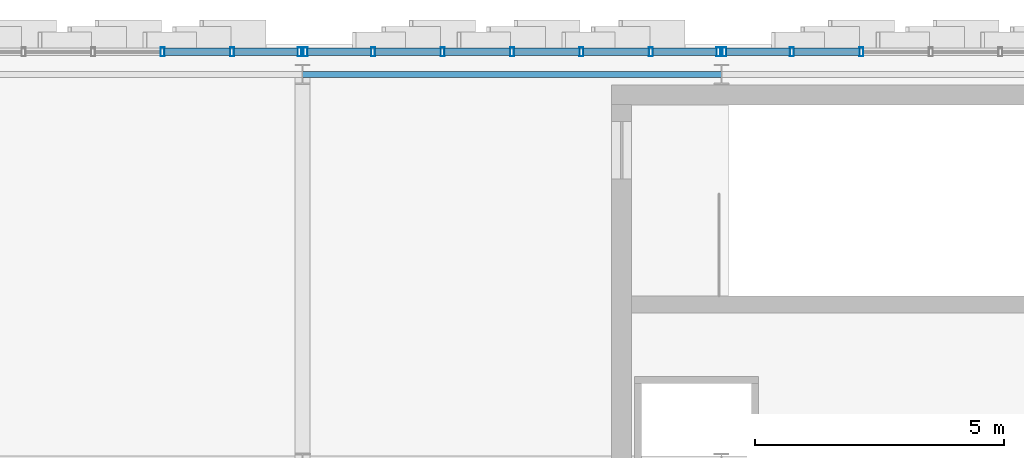
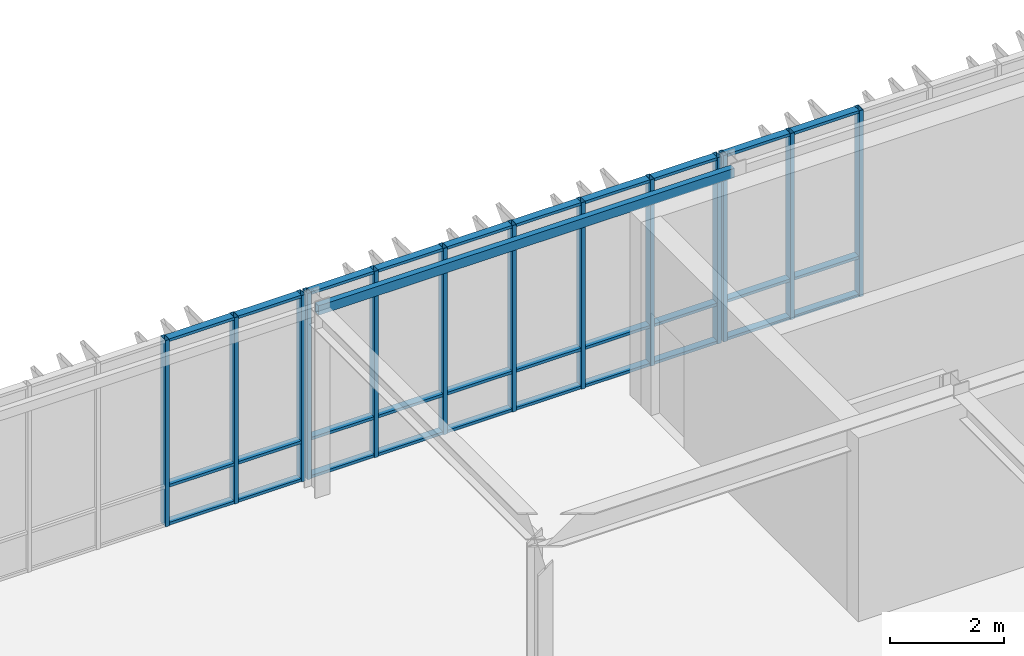
# One storey, part 62 of 123: 43 members, 1 beam, 3 elements without a shape of their own.
"""IFC4 building model written with IfcOpenShell, lengths in metres."""

import ifcopenshell
import ifcopenshell.guid

model = None  # the IFC model being written
_history = None  # IfcOwnerHistory: only IFC2X3 demands one
_inside = {}  # id of a spatial element -> (the spatial element, [elements in it])
_under = {}  # id of a project, library or spatial element -> (it, [spatial elements below it])
_declared = {}  # id of a project -> (the project, [libraries it declares])
_typed = {}  # id of a type object -> (the type object, [elements of that type])
_made_of = {}  # id of a material, layer set ... -> (it, [elements and type objects made of it])


def new_model(schema):
    """Start an empty IFC model of exactly this schema.

    Asked for "IFC4X3", IfcOpenShell would pick the latest addendum, in which some entities
    have other attributes; the version numbers below select the first issue.
    IFC2X3 requires an IfcOwnerHistory on every rooted entity: one is made here for all.
    """
    global model, _history
    if schema == "IFC4X3":
        model = ifcopenshell.file(schema_version=(4, 3, 0, 0))
    else:
        model = ifcopenshell.file(schema=schema)
    _inside.clear()
    _under.clear()
    _declared.clear()
    _typed.clear()
    _made_of.clear()
    _history = None
    if model.schema == "IFC2X3":
        org = make("IfcOrganization", Name="unknown")
        user = make(
            "IfcPersonAndOrganization",
            ThePerson=make("IfcPerson", FamilyName="unknown"),
            TheOrganization=org,
        )
        app = make(
            "IfcApplication",
            ApplicationDeveloper=org,
            Version="unknown",
            ApplicationFullName="unknown",
            ApplicationIdentifier="unknown",
        )
        _history = make(
            "IfcOwnerHistory",
            OwningUser=user,
            OwningApplication=app,
            ChangeAction="ADDED",
            CreationDate=0,
        )
    return model


def make(cls, **values):
    """One entity of the class cls with the attributes given. An attribute that is None is left unset."""
    return model.create_entity(
        cls, **{name: value for name, value in values.items() if value is not None}
    )


def rooted(cls, **values):
    """An entity with a GlobalId (a new one), such as an element, a storey or a relation."""
    return make(cls, GlobalId=ifcopenshell.guid.new(), OwnerHistory=_history, **values)


def si_unit(unit_type, name, prefix=None):
    """IfcSIUnit, for example si_unit("LENGTHUNIT", "METRE", prefix="MILLI")."""
    return make("IfcSIUnit", UnitType=unit_type, Prefix=prefix, Name=name)


def assignment(units):
    """IfcUnitAssignment: the units of a project."""
    return None if units is None else make("IfcUnitAssignment", Units=units)


def point(xyz):
    """IfcCartesianPoint."""
    return None if xyz is None else make("IfcCartesianPoint", Coordinates=xyz)


def direction(xyz):
    """IfcDirection."""
    return None if xyz is None else make("IfcDirection", DirectionRatios=xyz)


def frame(location, z_axis=None, x_axis=None):
    """IfcAxis2Placement3D, a coordinate frame: its origin and axes. An axis left out is left unset."""
    return make(
        "IfcAxis2Placement3D",
        Location=point(location),
        Axis=direction(z_axis),
        RefDirection=direction(x_axis),
    )


def frame_2d(location, x_axis=None):
    """IfcAxis2Placement2D, a coordinate frame in the plane: its origin and x axis."""
    return make(
        "IfcAxis2Placement2D", Location=point(location), RefDirection=direction(x_axis)
    )


def origin():
    """The frame at (0, 0, 0) with its axes left unset."""
    return frame((0.0, 0.0, 0.0))


def origin_2d():
    """The frame at (0, 0) in the plane with its x axis left unset."""
    return frame_2d((0.0, 0.0))


def place(relative_to, where):
    """IfcLocalPlacement: puts the frame where relative to a parent placement (None: the world)."""
    return make(
        "IfcLocalPlacement", PlacementRelTo=relative_to, RelativePlacement=where
    )


def context(
    kind, dimensions, precision=None, world=None, true_north=None, identifier=None
):
    """IfcGeometricRepresentationContext, for example the 3D "Model" context."""
    return make(
        "IfcGeometricRepresentationContext",
        ContextIdentifier=identifier,
        ContextType=kind,
        CoordinateSpaceDimension=dimensions,
        Precision=precision,
        WorldCoordinateSystem=world,
        TrueNorth=true_north,
    )


def subcontext(parent, identifier, kind, view, scale=None):
    """IfcGeometricRepresentationSubContext, for example "Body" below "Model"."""
    return make(
        "IfcGeometricRepresentationSubContext",
        ContextIdentifier=identifier,
        ContextType=kind,
        ParentContext=parent,
        TargetScale=scale,
        TargetView=view,
    )


def project(units=None, contexts=None):
    """IfcProject with its units and contexts."""
    return rooted(
        "IfcProject",
        Name="project",
        RepresentationContexts=contexts,
        UnitsInContext=assignment(units),
    )


def spatial(cls, under=None, at=None, **own):
    """A site, building, storey or space (cls), placed at a placement, below another one or the project."""
    s = rooted(cls, ObjectPlacement=at, **own)
    if under is not None:
        _under.setdefault(under.id(), (under, []))[1].append(s)
    return s


def profile(cls, at=None, kind="AREA", **sizes):
    """A parametric profile (cls). Its sizes go by their IFC names, for example OverallWidth=200.0."""
    return make(cls, ProfileType=kind, Position=at, **sizes)


def hollow_rectangle(**sizes):
    """IfcRectangleHollowProfileDef."""
    return profile("IfcRectangleHollowProfileDef", **sizes)


def extrude(swept, where, along, depth):
    """IfcExtrudedAreaSolid: the profile swept, set in the frame where, extruded along a direction by depth."""
    return make(
        "IfcExtrudedAreaSolid",
        SweptArea=swept,
        Position=where,
        ExtrudedDirection=direction(along),
        Depth=depth,
    )


def shape(context_of_items, identifier, shape_type, items):
    """IfcShapeRepresentation: the items that make up one representation, for example the "Body"."""
    return make(
        "IfcShapeRepresentation",
        ContextOfItems=context_of_items,
        RepresentationIdentifier=identifier,
        RepresentationType=shape_type,
        Items=items,
    )


def material(Name=None, Category=None):
    """IfcMaterial."""
    return make("IfcMaterial", Name=Name, Category=Category)


def layer(
    of_material, thickness, ventilated=None, Name=None, Category=None, Priority=None
):
    """IfcMaterialLayer: one layer of a wall or slab, of a material (None: an air gap)."""
    return make(
        "IfcMaterialLayer",
        Material=of_material,
        LayerThickness=thickness,
        IsVentilated=ventilated,
        Name=Name,
        Category=Category,
        Priority=Priority,
    )


def layer_set(layers, Name=None):
    """IfcMaterialLayerSet."""
    return make("IfcMaterialLayerSet", MaterialLayers=layers, LayerSetName=Name)


def material_profile(
    of_material, cross_section, Name=None, Category=None, Priority=None
):
    """IfcMaterialProfile: a cross section and its material."""
    return make(
        "IfcMaterialProfile",
        Name=Name,
        Material=of_material,
        Profile=cross_section,
        Priority=Priority,
        Category=Category,
    )


def profile_set(profiles, Name=None, composite=None):
    """IfcMaterialProfileSet."""
    return make(
        "IfcMaterialProfileSet",
        Name=Name,
        MaterialProfiles=profiles,
        CompositeProfile=composite,
    )


def made_of(thing, what):
    """Note that an element or type object is made of a material, layer set ...; save() writes the relation."""
    if what is not None:
        _made_of.setdefault(what.id(), (what, []))[1].append(thing)
    return thing


def type_object(cls, material=None, **own):
    """A type object (cls), such as IfcWallType, which elements share."""
    return made_of(rooted(cls, **own), material)


def element(
    cls,
    number,
    at=None,
    inside=None,
    cuts=None,
    type_object=None,
    material=None,
    context=None,
    identifier="Body",
    shape_type=None,
    held_by="IfcProductDefinitionShape",
    body=None,
    shapes=None,
    **own,
):
    """One element of the class cls, such as IfcWall. Its Tag is "e" and its number.

    at: its placement. inside: the storey or other place that contains it. cuts: it is an
    opening in that element (IfcRelVoidsElement). A single representation is given by context,
    identifier, shape_type and body (its items); several are given by shapes. held_by: the class
    of the entity that holds the representations. save() writes the other relations.
    """
    e = rooted(cls, Tag="e%d" % number, ObjectPlacement=at, **own)
    if body is not None:
        shapes = [shape(context, identifier, shape_type, body)]
    if shapes is not None:
        e.Representation = make(held_by, Representations=shapes)
    if inside is not None:
        _inside.setdefault(inside.id(), (inside, []))[1].append(e)
    if cuts is not None:
        rooted(
            "IfcRelVoidsElement", RelatingBuildingElement=cuts, RelatedOpeningElement=e
        )
    if type_object is not None:
        _typed.setdefault(type_object.id(), (type_object, []))[1].append(e)
    return made_of(e, material)


def aggregate(whole, parts):
    """IfcRelAggregates: a whole, such as a stair, and the parts it consists of."""
    return rooted("IfcRelAggregates", RelatingObject=whole, RelatedObjects=parts)


def save(model, path):
    """Write the relations noted so far, then the file.

    IfcRelAggregates (storeys below a building ...), IfcRelContainedInSpatialStructure (elements
    in a storey), IfcRelDefinesByType, IfcRelAssociatesMaterial and IfcRelDeclares: one each for
    every whole, place, type object, material and project.
    """
    for whole, parts in _under.values():
        aggregate(whole, parts)
    for where, things in _inside.values():
        rooted(
            "IfcRelContainedInSpatialStructure",
            RelatedElements=things,
            RelatingStructure=where,
        )
    for kind, things in _typed.values():
        rooted("IfcRelDefinesByType", RelatedObjects=things, RelatingType=kind)
    for what, things in _made_of.values():
        rooted("IfcRelAssociatesMaterial", RelatedObjects=things, RelatingMaterial=what)
    for by, libraries in _declared.values():
        rooted("IfcRelDeclares", RelatingContext=by, RelatedDefinitions=libraries)
    model.write(path)


model = new_model("IFC4")

# Units and contexts
model_context = context("Model", 3, precision=1e-05, world=origin(), true_north=direction((0.0, 1.0)))
body_context = subcontext(model_context, "Body", "Model", "MODEL_VIEW")
ifc_project = project(units=[si_unit("LENGTHUNIT", "METRE"), si_unit("AREAUNIT", "SQUARE_METRE"), si_unit("VOLUMEUNIT", "CUBIC_METRE"), si_unit("PLANEANGLEUNIT", "RADIAN"), si_unit("MASSUNIT", "GRAM", prefix="KILO")], contexts=[model_context])

# Site, building, storey
site_placement = place(None, origin())
site = spatial("IfcSite", under=ifc_project, at=site_placement, CompositionType="ELEMENT")
building_placement = place(site_placement, origin())
building = spatial("IfcBuilding", under=site, at=building_placement, Name="Zayran Congress Hotel", CompositionType="ELEMENT")
storey_placement = place(building_placement, frame((0.0, 0.0, 15.0)))
storey = spatial("IfcBuildingStorey", under=building, at=storey_placement, Name="L03", CompositionType="ELEMENT", Elevation=15.0)

# Beam
ifc_material_1 = material(Name="Steel S355", Category="steel")
ifc_material_profile_1 = material_profile(ifc_material_1, hollow_rectangle(XDim=0.1201171875, YDim=0.199951171875, WallThickness=0.008056640625, at=origin_2d()), Name="RHS 200x120x8")
ifc_profile_set_1 = profile_set([ifc_material_profile_1], Name="Steel S355")
beam_type = type_object("IfcBeamType", Name="TP-SP-02", PredefinedType="SPANDREL", material=ifc_profile_set_1)
beam_placement = place(storey_placement, frame((75.60009765625, 117.39990234375, 3.8798828125), z_axis=(1.0, 0.0, 0.0), x_axis=(0.0, 1.0, 0.0)))
element("IfcBeam", 1, at=beam_placement, inside=storey, type_object=beam_type, Name="BM-V1-L03-0847", PredefinedType="SPANDREL", context=body_context, shape_type="SweptSolid", body=[
    extrude(hollow_rectangle(XDim=0.1201171875, YDim=0.199951171875, WallThickness=0.008056640625, at=origin_2d()), origin(), (0.0, 0.0, 1.0), 8.39990234375),
])

# Curtain wall, members
ifc_material_2 = material(Name="Anodised aluminium and low-E insulated glass", Category="aluminium")
ifc_layer_1 = layer(ifc_material_2, 0.179931640625)
ifc_layer_set_1 = layer_set([ifc_layer_1], Name="Anodised aluminium and low-E insulated glass")
curtain_wall_type_1 = type_object("IfcCurtainWallType", Name="CW-V1N-L03-CW-22-8360-3980", PredefinedType="USERDEFINED", material=ifc_layer_set_1)
curtain_wall_1_placement = place(storey_placement, origin())
curtain_wall_1 = element("IfcCurtainWall", 2, at=curtain_wall_1_placement, inside=storey, type_object=curtain_wall_type_1, Name="CW-V1N-L03-7", ObjectType="CURTAIN WALL", PredefinedType="USERDEFINED")
ifc_material_3 = material(Name="Anodised aluminium framing", Category="aluminium")
ifc_material_profile_2 = material_profile(ifc_material_3, hollow_rectangle(XDim=0.080078125, YDim=0.179931640625, WallThickness=0.0048828125, at=origin_2d()), Name="RHS 180x80x5")
ifc_profile_set_2 = profile_set([ifc_material_profile_2], Name="Anodised aluminium framing")
member_type_1 = type_object("IfcMemberType", Name="TP-CWM-01", PredefinedType="MULLION", material=ifc_profile_set_2)
member_1_placement = place(storey_placement, frame((75.5400390625, 117.85009765625, 0.0), z_axis=(0.0, 0.0, 1.0), x_axis=(1.0, 0.0, 0.0)))
member_1 = element("IfcMember", 3, at=member_1_placement, type_object=member_type_1, Name="CW-V1N-L03-7-M00", PredefinedType="MULLION", context=body_context, shape_type="SweptSolid", body=[
    extrude(hollow_rectangle(XDim=0.080078125, YDim=0.179931640625, WallThickness=0.0048828125, at=origin_2d()), origin(), (0.0, 0.0, 1.0), 3.97998046875),
])
member_2_placement = place(storey_placement, frame((74.186767578125, 117.85009765625, 0.0), z_axis=(0.0, 0.0, 1.0), x_axis=(1.0, 0.0, 0.0)))
member_2 = element("IfcMember", 4, at=member_2_placement, type_object=member_type_1, Name="CW-V1N-L03-7-M01", PredefinedType="MULLION", context=body_context, shape_type="SweptSolid", body=[
    extrude(hollow_rectangle(XDim=0.080078125, YDim=0.179931640625, WallThickness=0.0048828125, at=origin_2d()), origin(), (0.0, 0.0, 1.0), 3.97998046875),
])
member_3_placement = place(storey_placement, frame((72.793212890625, 117.85009765625, 0.0), z_axis=(0.0, 0.0, 1.0), x_axis=(1.0, 0.0, 0.0)))
member_3 = element("IfcMember", 5, at=member_3_placement, type_object=member_type_1, Name="CW-V1N-L03-7-M02", PredefinedType="MULLION", context=body_context, shape_type="SweptSolid", body=[
    extrude(hollow_rectangle(XDim=0.080078125, YDim=0.179931640625, WallThickness=0.0048828125, at=origin_2d()), origin(), (0.0, 0.0, 1.0), 3.97998046875),
])

ifc_layer_2 = layer(ifc_material_2, 0.179931640625)
ifc_layer_set_2 = layer_set([ifc_layer_2], Name="Anodised aluminium and low-E insulated glass")
curtain_wall_type_2 = type_object("IfcCurtainWallType", Name="CW-V1N-L03-CW-23-8360-3980", PredefinedType="USERDEFINED", material=ifc_layer_set_2)
curtain_wall_2_placement = place(storey_placement, origin())
curtain_wall_2 = element("IfcCurtainWall", 6, at=curtain_wall_2_placement, inside=storey, type_object=curtain_wall_type_2, Name="CW-V1N-L03-8", ObjectType="CURTAIN WALL", PredefinedType="USERDEFINED")
member_4_placement = place(storey_placement, frame((83.93994140625, 117.85009765625, 0.0), z_axis=(0.0, 0.0, 1.0), x_axis=(1.0, 0.0, 0.0)))
member_4 = element("IfcMember", 7, at=member_4_placement, type_object=member_type_1, Name="CW-V1N-L03-8-M00", PredefinedType="MULLION", context=body_context, shape_type="SweptSolid", body=[
    extrude(hollow_rectangle(XDim=0.080078125, YDim=0.179931640625, WallThickness=0.0048828125, at=origin_2d()), origin(), (0.0, 0.0, 1.0), 3.97998046875),
])
member_5_placement = place(storey_placement, frame((82.586669921875, 117.85009765625, 0.0), z_axis=(0.0, 0.0, 1.0), x_axis=(1.0, 0.0, 0.0)))
member_5 = element("IfcMember", 8, at=member_5_placement, type_object=member_type_1, Name="CW-V1N-L03-8-M01", PredefinedType="MULLION", context=body_context, shape_type="SweptSolid", body=[
    extrude(hollow_rectangle(XDim=0.080078125, YDim=0.179931640625, WallThickness=0.0048828125, at=origin_2d()), origin(), (0.0, 0.0, 1.0), 3.97998046875),
])
member_6_placement = place(storey_placement, frame((81.193359375, 117.85009765625, 0.0), z_axis=(0.0, 0.0, 1.0), x_axis=(1.0, 0.0, 0.0)))
member_6 = element("IfcMember", 9, at=member_6_placement, type_object=member_type_1, Name="CW-V1N-L03-8-M02", PredefinedType="MULLION", context=body_context, shape_type="SweptSolid", body=[
    extrude(hollow_rectangle(XDim=0.080078125, YDim=0.179931640625, WallThickness=0.0048828125, at=origin_2d()), origin(), (0.0, 0.0, 1.0), 3.97998046875),
])
member_7_placement = place(storey_placement, frame((79.800048828125, 117.85009765625, 0.0), z_axis=(0.0, 0.0, 1.0), x_axis=(1.0, 0.0, 0.0)))
member_7 = element("IfcMember", 10, at=member_7_placement, type_object=member_type_1, Name="CW-V1N-L03-8-M03", PredefinedType="MULLION", context=body_context, shape_type="SweptSolid", body=[
    extrude(hollow_rectangle(XDim=0.080078125, YDim=0.179931640625, WallThickness=0.0048828125, at=origin_2d()), origin(), (0.0, 0.0, 1.0), 3.97998046875),
])
member_8_placement = place(storey_placement, frame((78.40673828125, 117.85009765625, 0.0), z_axis=(0.0, 0.0, 1.0), x_axis=(1.0, 0.0, 0.0)))
member_8 = element("IfcMember", 11, at=member_8_placement, type_object=member_type_1, Name="CW-V1N-L03-8-M04", PredefinedType="MULLION", context=body_context, shape_type="SweptSolid", body=[
    extrude(hollow_rectangle(XDim=0.080078125, YDim=0.179931640625, WallThickness=0.0048828125, at=origin_2d()), origin(), (0.0, 0.0, 1.0), 3.97998046875),
])
member_9_placement = place(storey_placement, frame((77.01318359375, 117.85009765625, 0.0), z_axis=(0.0, 0.0, 1.0), x_axis=(1.0, 0.0, 0.0)))
member_9 = element("IfcMember", 12, at=member_9_placement, type_object=member_type_1, Name="CW-V1N-L03-8-M05", PredefinedType="MULLION", context=body_context, shape_type="SweptSolid", body=[
    extrude(hollow_rectangle(XDim=0.080078125, YDim=0.179931640625, WallThickness=0.0048828125, at=origin_2d()), origin(), (0.0, 0.0, 1.0), 3.97998046875),
])
member_10_placement = place(storey_placement, frame((75.659912109375, 117.85009765625, 0.0), z_axis=(0.0, 0.0, 1.0), x_axis=(1.0, 0.0, 0.0)))
member_10 = element("IfcMember", 13, at=member_10_placement, type_object=member_type_1, Name="CW-V1N-L03-8-M06", PredefinedType="MULLION", context=body_context, shape_type="SweptSolid", body=[
    extrude(hollow_rectangle(XDim=0.080078125, YDim=0.179931640625, WallThickness=0.0048828125, at=origin_2d()), origin(), (0.0, 0.0, 1.0), 3.97998046875),
])

ifc_layer_3 = layer(ifc_material_2, 0.179931640625)
ifc_layer_set_3 = layer_set([ifc_layer_3], Name="Anodised aluminium and low-E insulated glass")
curtain_wall_type_3 = type_object("IfcCurtainWallType", Name="CW-V1N-L03-CW-21-8360-3980", PredefinedType="USERDEFINED", material=ifc_layer_set_3)
curtain_wall_3_placement = place(storey_placement, origin())
curtain_wall_3 = element("IfcCurtainWall", 14, at=curtain_wall_3_placement, inside=storey, type_object=curtain_wall_type_3, Name="CW-V1N-L03-9", ObjectType="CURTAIN WALL", PredefinedType="USERDEFINED")
member_11_placement = place(storey_placement, frame((86.806640625, 117.85009765625, 0.0), z_axis=(0.0, 0.0, 1.0), x_axis=(1.0, 0.0, 0.0)))
member_11 = element("IfcMember", 15, at=member_11_placement, type_object=member_type_1, Name="CW-V1N-L03-9-M04", PredefinedType="MULLION", context=body_context, shape_type="SweptSolid", body=[
    extrude(hollow_rectangle(XDim=0.080078125, YDim=0.179931640625, WallThickness=0.0048828125, at=origin_2d()), origin(), (0.0, 0.0, 1.0), 3.97998046875),
])
member_12_placement = place(storey_placement, frame((85.413330078125, 117.85009765625, 0.0), z_axis=(0.0, 0.0, 1.0), x_axis=(1.0, 0.0, 0.0)))
member_12 = element("IfcMember", 16, at=member_12_placement, type_object=member_type_1, Name="CW-V1N-L03-9-M05", PredefinedType="MULLION", context=body_context, shape_type="SweptSolid", body=[
    extrude(hollow_rectangle(XDim=0.080078125, YDim=0.179931640625, WallThickness=0.0048828125, at=origin_2d()), origin(), (0.0, 0.0, 1.0), 3.97998046875),
])
member_13_placement = place(storey_placement, frame((84.06005859375, 117.85009765625, 0.0), z_axis=(0.0, 0.0, 1.0), x_axis=(1.0, 0.0, 0.0)))
member_13 = element("IfcMember", 17, at=member_13_placement, type_object=member_type_1, Name="CW-V1N-L03-9-M06", PredefinedType="MULLION", context=body_context, shape_type="SweptSolid", body=[
    extrude(hollow_rectangle(XDim=0.080078125, YDim=0.179931640625, WallThickness=0.0048828125, at=origin_2d()), origin(), (0.0, 0.0, 1.0), 3.97998046875),
])

# Member
ifc_material_profile_3 = material_profile(ifc_material_3, hollow_rectangle(XDim=0.06005859375, YDim=0.14990234375, WallThickness=0.00390625, at=origin_2d()), Name="RHS 150x60x4")
ifc_profile_set_3 = profile_set([ifc_material_profile_3], Name="Anodised aluminium framing")
member_type_2 = type_object("IfcMemberType", Name="TP-CWT-01", PredefinedType="USERDEFINED", material=ifc_profile_set_3)
member_14_placement = place(storey_placement, frame((75.5, 117.85009765625, 0.030029296875), z_axis=(-1.0, 0.0, 0.0), x_axis=(0.0, 0.0, 1.0)))
member_14 = element("IfcMember", 18, at=member_14_placement, type_object=member_type_2, Name="CW-V1N-L03-7-T00-0", ObjectType="TRANSOM", PredefinedType="USERDEFINED", context=body_context, shape_type="SweptSolid", body=[
    extrude(hollow_rectangle(XDim=0.06005859375, YDim=0.14990234375, WallThickness=0.00390625, at=origin_2d()), origin(), (0.0, 0.0, 1.0), 1.273193359375),
])

member_15_placement = place(storey_placement, frame((75.5, 117.85009765625, 0.840087890625), z_axis=(-1.0, 0.0, 0.0), x_axis=(0.0, 0.0, 1.0)))
member_15 = element("IfcMember", 19, at=member_15_placement, type_object=member_type_2, Name="CW-V1N-L03-7-T00-1", ObjectType="TRANSOM", PredefinedType="USERDEFINED", context=body_context, shape_type="SweptSolid", body=[
    extrude(hollow_rectangle(XDim=0.06005859375, YDim=0.14990234375, WallThickness=0.00390625, at=origin_2d()), origin(), (0.0, 0.0, 1.0), 1.273193359375),
])

member_16_placement = place(storey_placement, frame((75.5, 117.85009765625, 3.949951171875), z_axis=(-1.0, 0.0, 0.0), x_axis=(0.0, 0.0, 1.0)))
member_16 = element("IfcMember", 20, at=member_16_placement, type_object=member_type_2, Name="CW-V1N-L03-7-T00-2", ObjectType="TRANSOM", PredefinedType="USERDEFINED", context=body_context, shape_type="SweptSolid", body=[
    extrude(hollow_rectangle(XDim=0.06005859375, YDim=0.14990234375, WallThickness=0.00390625, at=origin_2d()), origin(), (0.0, 0.0, 1.0), 1.273193359375),
])

member_17_placement = place(storey_placement, frame((74.146728515625, 117.85009765625, 0.030029296875), z_axis=(-1.0, 0.0, 0.0), x_axis=(0.0, 0.0, 1.0)))
member_17 = element("IfcMember", 21, at=member_17_placement, type_object=member_type_2, Name="CW-V1N-L03-7-T01-0", ObjectType="TRANSOM", PredefinedType="USERDEFINED", context=body_context, shape_type="SweptSolid", body=[
    extrude(hollow_rectangle(XDim=0.06005859375, YDim=0.14990234375, WallThickness=0.00390625, at=origin_2d()), origin(), (0.0, 0.0, 1.0), 1.3134765625),
])

member_18_placement = place(storey_placement, frame((74.146728515625, 117.85009765625, 0.840087890625), z_axis=(-1.0, 0.0, 0.0), x_axis=(0.0, 0.0, 1.0)))
member_18 = element("IfcMember", 22, at=member_18_placement, type_object=member_type_2, Name="CW-V1N-L03-7-T01-1", ObjectType="TRANSOM", PredefinedType="USERDEFINED", context=body_context, shape_type="SweptSolid", body=[
    extrude(hollow_rectangle(XDim=0.06005859375, YDim=0.14990234375, WallThickness=0.00390625, at=origin_2d()), origin(), (0.0, 0.0, 1.0), 1.3134765625),
])

member_19_placement = place(storey_placement, frame((74.146728515625, 117.85009765625, 3.949951171875), z_axis=(-1.0, 0.0, 0.0), x_axis=(0.0, 0.0, 1.0)))
member_19 = element("IfcMember", 23, at=member_19_placement, type_object=member_type_2, Name="CW-V1N-L03-7-T01-2", ObjectType="TRANSOM", PredefinedType="USERDEFINED", context=body_context, shape_type="SweptSolid", body=[
    extrude(hollow_rectangle(XDim=0.06005859375, YDim=0.14990234375, WallThickness=0.00390625, at=origin_2d()), origin(), (0.0, 0.0, 1.0), 1.3134765625),
])

aggregate(curtain_wall_1, [member_1, member_2, member_3, member_14, member_15, member_16, member_17, member_18, member_19])

member_20_placement = place(storey_placement, frame((83.89990234375, 117.85009765625, 0.030029296875), z_axis=(-1.0, 0.0, 0.0), x_axis=(0.0, 0.0, 1.0)))
member_20 = element("IfcMember", 24, at=member_20_placement, type_object=member_type_2, Name="CW-V1N-L03-8-T00-0", ObjectType="TRANSOM", PredefinedType="USERDEFINED", context=body_context, shape_type="SweptSolid", body=[
    extrude(hollow_rectangle(XDim=0.06005859375, YDim=0.14990234375, WallThickness=0.00390625, at=origin_2d()), origin(), (0.0, 0.0, 1.0), 1.273193359375),
])

member_21_placement = place(storey_placement, frame((83.89990234375, 117.85009765625, 0.840087890625), z_axis=(-1.0, 0.0, 0.0), x_axis=(0.0, 0.0, 1.0)))
member_21 = element("IfcMember", 25, at=member_21_placement, type_object=member_type_2, Name="CW-V1N-L03-8-T00-1", ObjectType="TRANSOM", PredefinedType="USERDEFINED", context=body_context, shape_type="SweptSolid", body=[
    extrude(hollow_rectangle(XDim=0.06005859375, YDim=0.14990234375, WallThickness=0.00390625, at=origin_2d()), origin(), (0.0, 0.0, 1.0), 1.273193359375),
])

member_22_placement = place(storey_placement, frame((83.89990234375, 117.85009765625, 3.949951171875), z_axis=(-1.0, 0.0, 0.0), x_axis=(0.0, 0.0, 1.0)))
member_22 = element("IfcMember", 26, at=member_22_placement, type_object=member_type_2, Name="CW-V1N-L03-8-T00-2", ObjectType="TRANSOM", PredefinedType="USERDEFINED", context=body_context, shape_type="SweptSolid", body=[
    extrude(hollow_rectangle(XDim=0.06005859375, YDim=0.14990234375, WallThickness=0.00390625, at=origin_2d()), origin(), (0.0, 0.0, 1.0), 1.273193359375),
])

member_23_placement = place(storey_placement, frame((82.546630859375, 117.85009765625, 0.030029296875), z_axis=(-1.0, 0.0, 0.0), x_axis=(0.0, 0.0, 1.0)))
member_23 = element("IfcMember", 27, at=member_23_placement, type_object=member_type_2, Name="CW-V1N-L03-8-T01-0", ObjectType="TRANSOM", PredefinedType="USERDEFINED", context=body_context, shape_type="SweptSolid", body=[
    extrude(hollow_rectangle(XDim=0.06005859375, YDim=0.14990234375, WallThickness=0.00390625, at=origin_2d()), origin(), (0.0, 0.0, 1.0), 1.313232421875),
])

member_24_placement = place(storey_placement, frame((82.546630859375, 117.85009765625, 0.840087890625), z_axis=(-1.0, 0.0, 0.0), x_axis=(0.0, 0.0, 1.0)))
member_24 = element("IfcMember", 28, at=member_24_placement, type_object=member_type_2, Name="CW-V1N-L03-8-T01-1", ObjectType="TRANSOM", PredefinedType="USERDEFINED", context=body_context, shape_type="SweptSolid", body=[
    extrude(hollow_rectangle(XDim=0.06005859375, YDim=0.14990234375, WallThickness=0.00390625, at=origin_2d()), origin(), (0.0, 0.0, 1.0), 1.313232421875),
])

member_25_placement = place(storey_placement, frame((82.546630859375, 117.85009765625, 3.949951171875), z_axis=(-1.0, 0.0, 0.0), x_axis=(0.0, 0.0, 1.0)))
member_25 = element("IfcMember", 29, at=member_25_placement, type_object=member_type_2, Name="CW-V1N-L03-8-T01-2", ObjectType="TRANSOM", PredefinedType="USERDEFINED", context=body_context, shape_type="SweptSolid", body=[
    extrude(hollow_rectangle(XDim=0.06005859375, YDim=0.14990234375, WallThickness=0.00390625, at=origin_2d()), origin(), (0.0, 0.0, 1.0), 1.313232421875),
])

member_26_placement = place(storey_placement, frame((81.1533203125, 117.85009765625, 0.030029296875), z_axis=(-1.0, 0.0, 0.0), x_axis=(0.0, 0.0, 1.0)))
member_26 = element("IfcMember", 30, at=member_26_placement, type_object=member_type_2, Name="CW-V1N-L03-8-T02-0", ObjectType="TRANSOM", PredefinedType="USERDEFINED", context=body_context, shape_type="SweptSolid", body=[
    extrude(hollow_rectangle(XDim=0.06005859375, YDim=0.14990234375, WallThickness=0.00390625, at=origin_2d()), origin(), (0.0, 0.0, 1.0), 1.313232421875),
])

member_27_placement = place(storey_placement, frame((81.1533203125, 117.85009765625, 0.840087890625), z_axis=(-1.0, 0.0, 0.0), x_axis=(0.0, 0.0, 1.0)))
member_27 = element("IfcMember", 31, at=member_27_placement, type_object=member_type_2, Name="CW-V1N-L03-8-T02-1", ObjectType="TRANSOM", PredefinedType="USERDEFINED", context=body_context, shape_type="SweptSolid", body=[
    extrude(hollow_rectangle(XDim=0.06005859375, YDim=0.14990234375, WallThickness=0.00390625, at=origin_2d()), origin(), (0.0, 0.0, 1.0), 1.313232421875),
])

member_28_placement = place(storey_placement, frame((81.1533203125, 117.85009765625, 3.949951171875), z_axis=(-1.0, 0.0, 0.0), x_axis=(0.0, 0.0, 1.0)))
member_28 = element("IfcMember", 32, at=member_28_placement, type_object=member_type_2, Name="CW-V1N-L03-8-T02-2", ObjectType="TRANSOM", PredefinedType="USERDEFINED", context=body_context, shape_type="SweptSolid", body=[
    extrude(hollow_rectangle(XDim=0.06005859375, YDim=0.14990234375, WallThickness=0.00390625, at=origin_2d()), origin(), (0.0, 0.0, 1.0), 1.313232421875),
])

member_29_placement = place(storey_placement, frame((79.760009765625, 117.85009765625, 0.030029296875), z_axis=(-1.0, 0.0, 0.0), x_axis=(0.0, 0.0, 1.0)))
member_29 = element("IfcMember", 33, at=member_29_placement, type_object=member_type_2, Name="CW-V1N-L03-8-T03-0", ObjectType="TRANSOM", PredefinedType="USERDEFINED", context=body_context, shape_type="SweptSolid", body=[
    extrude(hollow_rectangle(XDim=0.06005859375, YDim=0.14990234375, WallThickness=0.00390625, at=origin_2d()), origin(), (0.0, 0.0, 1.0), 1.313232421875),
])

member_30_placement = place(storey_placement, frame((79.760009765625, 117.85009765625, 0.840087890625), z_axis=(-1.0, 0.0, 0.0), x_axis=(0.0, 0.0, 1.0)))
member_30 = element("IfcMember", 34, at=member_30_placement, type_object=member_type_2, Name="CW-V1N-L03-8-T03-1", ObjectType="TRANSOM", PredefinedType="USERDEFINED", context=body_context, shape_type="SweptSolid", body=[
    extrude(hollow_rectangle(XDim=0.06005859375, YDim=0.14990234375, WallThickness=0.00390625, at=origin_2d()), origin(), (0.0, 0.0, 1.0), 1.313232421875),
])

member_31_placement = place(storey_placement, frame((79.760009765625, 117.85009765625, 3.949951171875), z_axis=(-1.0, 0.0, 0.0), x_axis=(0.0, 0.0, 1.0)))
member_31 = element("IfcMember", 35, at=member_31_placement, type_object=member_type_2, Name="CW-V1N-L03-8-T03-2", ObjectType="TRANSOM", PredefinedType="USERDEFINED", context=body_context, shape_type="SweptSolid", body=[
    extrude(hollow_rectangle(XDim=0.06005859375, YDim=0.14990234375, WallThickness=0.00390625, at=origin_2d()), origin(), (0.0, 0.0, 1.0), 1.313232421875),
])

member_32_placement = place(storey_placement, frame((78.36669921875, 117.85009765625, 0.030029296875), z_axis=(-1.0, 0.0, 0.0), x_axis=(0.0, 0.0, 1.0)))
member_32 = element("IfcMember", 36, at=member_32_placement, type_object=member_type_2, Name="CW-V1N-L03-8-T04-0", ObjectType="TRANSOM", PredefinedType="USERDEFINED", context=body_context, shape_type="SweptSolid", body=[
    extrude(hollow_rectangle(XDim=0.06005859375, YDim=0.14990234375, WallThickness=0.00390625, at=origin_2d()), origin(), (0.0, 0.0, 1.0), 1.3134765625),
])

member_33_placement = place(storey_placement, frame((78.36669921875, 117.85009765625, 0.840087890625), z_axis=(-1.0, 0.0, 0.0), x_axis=(0.0, 0.0, 1.0)))
member_33 = element("IfcMember", 37, at=member_33_placement, type_object=member_type_2, Name="CW-V1N-L03-8-T04-1", ObjectType="TRANSOM", PredefinedType="USERDEFINED", context=body_context, shape_type="SweptSolid", body=[
    extrude(hollow_rectangle(XDim=0.06005859375, YDim=0.14990234375, WallThickness=0.00390625, at=origin_2d()), origin(), (0.0, 0.0, 1.0), 1.3134765625),
])

member_34_placement = place(storey_placement, frame((78.36669921875, 117.85009765625, 3.949951171875), z_axis=(-1.0, 0.0, 0.0), x_axis=(0.0, 0.0, 1.0)))
member_34 = element("IfcMember", 38, at=member_34_placement, type_object=member_type_2, Name="CW-V1N-L03-8-T04-2", ObjectType="TRANSOM", PredefinedType="USERDEFINED", context=body_context, shape_type="SweptSolid", body=[
    extrude(hollow_rectangle(XDim=0.06005859375, YDim=0.14990234375, WallThickness=0.00390625, at=origin_2d()), origin(), (0.0, 0.0, 1.0), 1.3134765625),
])

member_35_placement = place(storey_placement, frame((76.973388671875, 117.85009765625, 0.030029296875), z_axis=(-1.0, 0.0, 0.0), x_axis=(0.0, 0.0, 1.0)))
member_35 = element("IfcMember", 39, at=member_35_placement, type_object=member_type_2, Name="CW-V1N-L03-8-T05-0", ObjectType="TRANSOM", PredefinedType="USERDEFINED", context=body_context, shape_type="SweptSolid", body=[
    extrude(hollow_rectangle(XDim=0.06005859375, YDim=0.14990234375, WallThickness=0.00390625, at=origin_2d()), origin(), (0.0, 0.0, 1.0), 1.2734375),
])

member_36_placement = place(storey_placement, frame((76.973388671875, 117.85009765625, 0.840087890625), z_axis=(-1.0, 0.0, 0.0), x_axis=(0.0, 0.0, 1.0)))
member_36 = element("IfcMember", 40, at=member_36_placement, type_object=member_type_2, Name="CW-V1N-L03-8-T05-1", ObjectType="TRANSOM", PredefinedType="USERDEFINED", context=body_context, shape_type="SweptSolid", body=[
    extrude(hollow_rectangle(XDim=0.06005859375, YDim=0.14990234375, WallThickness=0.00390625, at=origin_2d()), origin(), (0.0, 0.0, 1.0), 1.2734375),
])

member_37_placement = place(storey_placement, frame((76.973388671875, 117.85009765625, 3.949951171875), z_axis=(-1.0, 0.0, 0.0), x_axis=(0.0, 0.0, 1.0)))
member_37 = element("IfcMember", 41, at=member_37_placement, type_object=member_type_2, Name="CW-V1N-L03-8-T05-2", ObjectType="TRANSOM", PredefinedType="USERDEFINED", context=body_context, shape_type="SweptSolid", body=[
    extrude(hollow_rectangle(XDim=0.06005859375, YDim=0.14990234375, WallThickness=0.00390625, at=origin_2d()), origin(), (0.0, 0.0, 1.0), 1.2734375),
])

aggregate(curtain_wall_2, [member_4, member_5, member_6, member_7, member_8, member_9, member_10, member_20, member_21, member_22, member_23, member_24, member_25, member_26, member_27, member_28, member_29, member_30, member_31, member_32, member_33, member_34, member_35, member_36, member_37])

member_38_placement = place(storey_placement, frame((86.7666015625, 117.85009765625, 0.030029296875), z_axis=(-1.0, 0.0, 0.0), x_axis=(0.0, 0.0, 1.0)))
member_38 = element("IfcMember", 42, at=member_38_placement, type_object=member_type_2, Name="CW-V1N-L03-9-T04-0", ObjectType="TRANSOM", PredefinedType="USERDEFINED", context=body_context, shape_type="SweptSolid", body=[
    extrude(hollow_rectangle(XDim=0.06005859375, YDim=0.14990234375, WallThickness=0.00390625, at=origin_2d()), origin(), (0.0, 0.0, 1.0), 1.313232421875),
])

member_39_placement = place(storey_placement, frame((86.7666015625, 117.85009765625, 0.840087890625), z_axis=(-1.0, 0.0, 0.0), x_axis=(0.0, 0.0, 1.0)))
member_39 = element("IfcMember", 43, at=member_39_placement, type_object=member_type_2, Name="CW-V1N-L03-9-T04-1", ObjectType="TRANSOM", PredefinedType="USERDEFINED", context=body_context, shape_type="SweptSolid", body=[
    extrude(hollow_rectangle(XDim=0.06005859375, YDim=0.14990234375, WallThickness=0.00390625, at=origin_2d()), origin(), (0.0, 0.0, 1.0), 1.313232421875),
])

member_40_placement = place(storey_placement, frame((86.7666015625, 117.85009765625, 3.949951171875), z_axis=(-1.0, 0.0, 0.0), x_axis=(0.0, 0.0, 1.0)))
member_40 = element("IfcMember", 44, at=member_40_placement, type_object=member_type_2, Name="CW-V1N-L03-9-T04-2", ObjectType="TRANSOM", PredefinedType="USERDEFINED", context=body_context, shape_type="SweptSolid", body=[
    extrude(hollow_rectangle(XDim=0.06005859375, YDim=0.14990234375, WallThickness=0.00390625, at=origin_2d()), origin(), (0.0, 0.0, 1.0), 1.313232421875),
])

member_41_placement = place(storey_placement, frame((85.373291015625, 117.85009765625, 0.030029296875), z_axis=(-1.0, 0.0, 0.0), x_axis=(0.0, 0.0, 1.0)))
member_41 = element("IfcMember", 45, at=member_41_placement, type_object=member_type_2, Name="CW-V1N-L03-9-T05-0", ObjectType="TRANSOM", PredefinedType="USERDEFINED", context=body_context, shape_type="SweptSolid", body=[
    extrude(hollow_rectangle(XDim=0.06005859375, YDim=0.14990234375, WallThickness=0.00390625, at=origin_2d()), origin(), (0.0, 0.0, 1.0), 1.273193359375),
])

member_42_placement = place(storey_placement, frame((85.373291015625, 117.85009765625, 0.840087890625), z_axis=(-1.0, 0.0, 0.0), x_axis=(0.0, 0.0, 1.0)))
member_42 = element("IfcMember", 46, at=member_42_placement, type_object=member_type_2, Name="CW-V1N-L03-9-T05-1", ObjectType="TRANSOM", PredefinedType="USERDEFINED", context=body_context, shape_type="SweptSolid", body=[
    extrude(hollow_rectangle(XDim=0.06005859375, YDim=0.14990234375, WallThickness=0.00390625, at=origin_2d()), origin(), (0.0, 0.0, 1.0), 1.273193359375),
])

member_43_placement = place(storey_placement, frame((85.373291015625, 117.85009765625, 3.949951171875), z_axis=(-1.0, 0.0, 0.0), x_axis=(0.0, 0.0, 1.0)))
member_43 = element("IfcMember", 47, at=member_43_placement, type_object=member_type_2, Name="CW-V1N-L03-9-T05-2", ObjectType="TRANSOM", PredefinedType="USERDEFINED", context=body_context, shape_type="SweptSolid", body=[
    extrude(hollow_rectangle(XDim=0.06005859375, YDim=0.14990234375, WallThickness=0.00390625, at=origin_2d()), origin(), (0.0, 0.0, 1.0), 1.273193359375),
])

aggregate(curtain_wall_3, [member_11, member_12, member_13, member_38, member_39, member_40, member_41, member_42, member_43])

save(model, "model.ifc")
